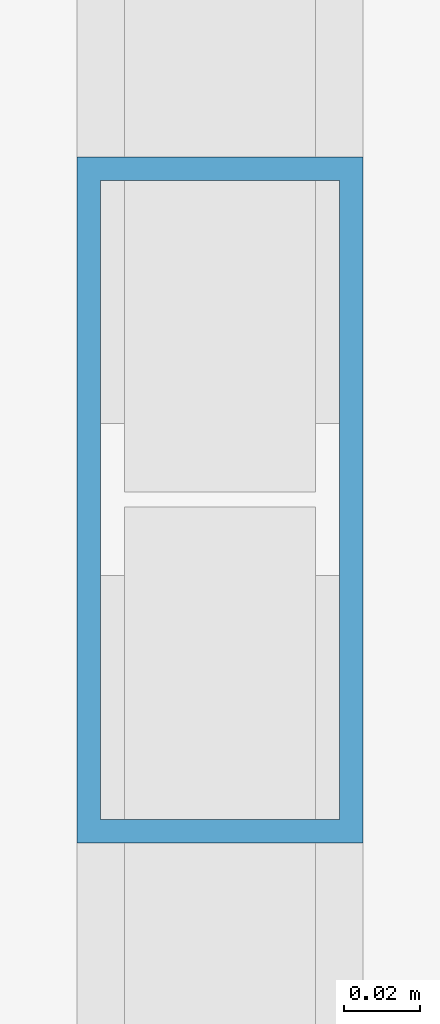
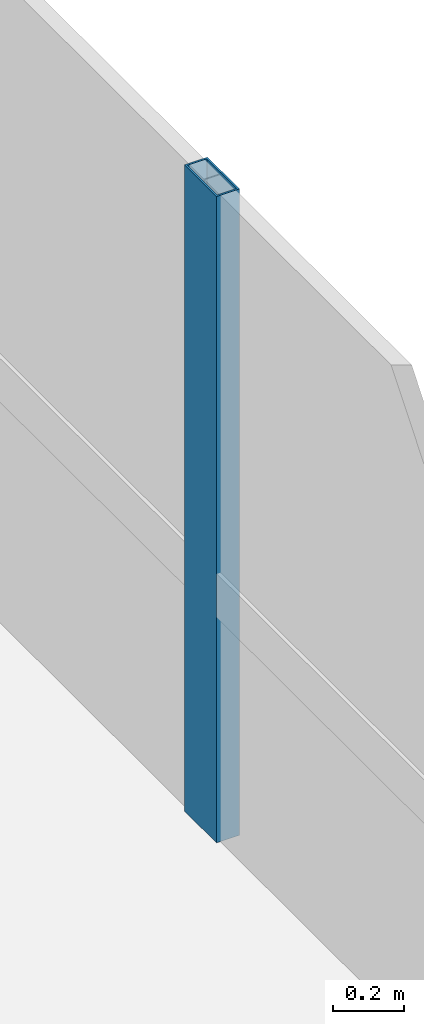
# One storey, part 21 of 44: 1 member, 1 element without a shape of its own.
"""IFC4 building model written with IfcOpenShell, lengths in metres."""

from ifc_helpers import new_model, si_unit, direction, frame, origin, origin_2d, place, context, subcontext, project, spatial, hollow_rectangle, extrude, material, material_profile, profile_set, type_object, element, aggregate, save


model = new_model("IFC4")

# Units and contexts
model_context = context("Model", 3, precision=1e-05, world=origin(), true_north=direction((0.0, 1.0)))
body_context = subcontext(model_context, "Body", "Model", "MODEL_VIEW")
ifc_project = project(units=[si_unit("LENGTHUNIT", "METRE"), si_unit("AREAUNIT", "SQUARE_METRE"), si_unit("VOLUMEUNIT", "CUBIC_METRE"), si_unit("PLANEANGLEUNIT", "RADIAN"), si_unit("MASSUNIT", "GRAM", prefix="KILO")], contexts=[model_context])

# Site, building, storey
site_placement = place(None, origin())
site = spatial("IfcSite", under=ifc_project, at=site_placement, CompositionType="ELEMENT")
building_placement = place(site_placement, origin())
building = spatial("IfcBuilding", under=site, at=building_placement, Name="Thornwick Lancets Civic Towers", CompositionType="ELEMENT")
storey_placement = place(building_placement, frame((0.0, 0.0, 292.199951171875)))
storey = spatial("IfcBuildingStorey", under=building, at=storey_placement, Name="C05", CompositionType="ELEMENT", Elevation=292.199951171875)

# Curtain wall, member
ifc_material_1 = material(Name="Crown ring acoustic-louvre and glazing screen wall", Category="glass")
curtain_wall_type = type_object("IfcCurtainWallType", Name="CW_SYS_07", PredefinedType="NOTDEFINED", material=ifc_material_1)
curtain_wall_placement = place(storey_placement, origin())
curtain_wall = element("IfcCurtainWall", 1, at=curtain_wall_placement, inside=storey, type_object=curtain_wall_type, Name="C05 Curtain Wall CW-C05-A-E2", PredefinedType="NOTDEFINED")
ifc_material_2 = material(Name="Thermally broken bronze aluminium S355", Category="steel")
ifc_material_profile = material_profile(ifc_material_2, hollow_rectangle(XDim=0.074951171875, YDim=0.179931640625, WallThickness=0.006103515625, at=origin_2d()), Name="RHS 180x75x6")
ifc_profile_set = profile_set([ifc_material_profile], Name="Thermally broken bronze aluminium S355")
member_type = type_object("IfcMemberType", Name="CW_MUL_180", PredefinedType="MULLION", material=ifc_profile_set)
member_placement = place(storey_placement, frame((49.2646484375, 30.03369140625, 0.0), z_axis=(0.0, 0.0, 1.0), x_axis=(1.0, 0.0, 0.0)))
member = element("IfcMember", 2, at=member_placement, type_object=member_type, Name="CW-C05-A-E2 Mullion 2", PredefinedType="MULLION", context=body_context, shape_type="SweptSolid", body=[
    extrude(hollow_rectangle(XDim=0.074951171875, YDim=0.179931640625, WallThickness=0.006103515625, at=origin_2d()), origin(), (0.0, 0.0, 1.0), 2.219970703125),
])
aggregate(curtain_wall, [member])

save(model, "model.ifc")
